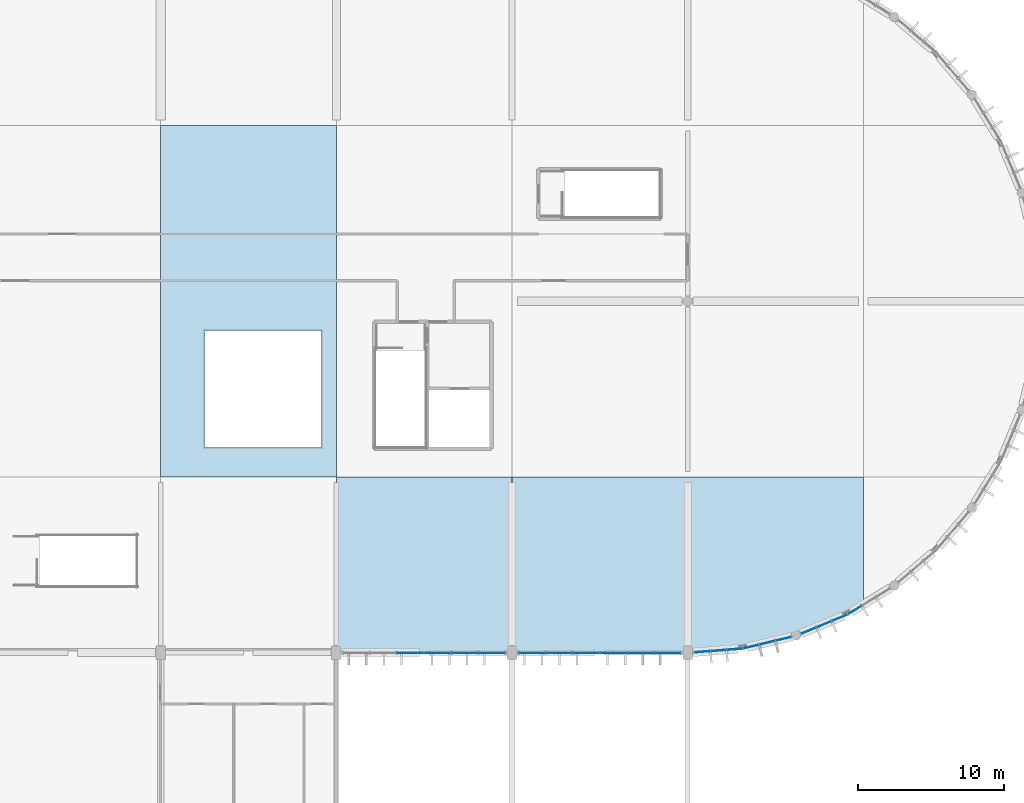
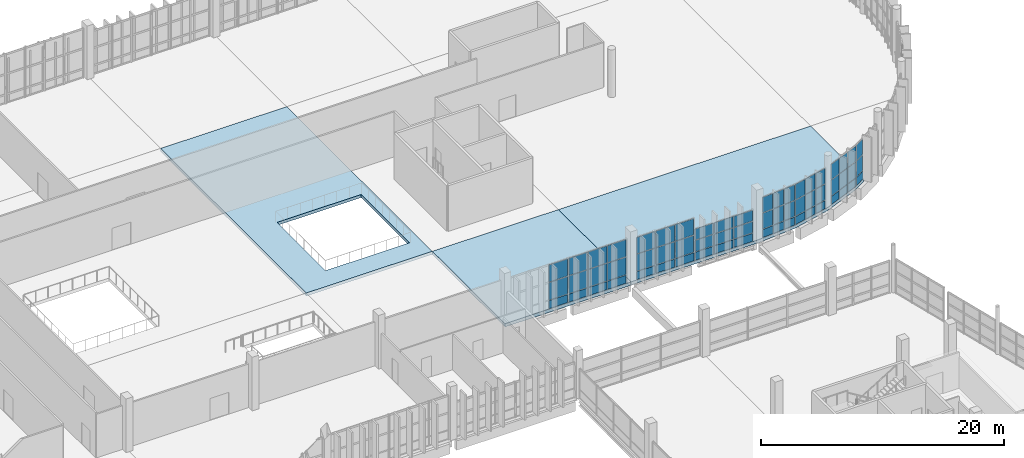
# One storey, part 68 of 112: 60 plates, 3 slabs, 8 elements without a shape of their own.
"""IFC4 building model written with IfcOpenShell, lengths in metres."""

from ifc_helpers import new_model, si_unit, direction, frame, origin, origin_2d, place, context, subcontext, project, spatial, polyline, rectangle, outline, extrude, material, layer, layer_set, type_object, element, aggregate, save


model = new_model("IFC4")

# Units and contexts
model_context = context("Model", 3, precision=1e-05, world=origin(), true_north=direction((0.0, 1.0)))
body_context = subcontext(model_context, "Body", "Model", "MODEL_VIEW")
ifc_project = project(units=[si_unit("LENGTHUNIT", "METRE"), si_unit("AREAUNIT", "SQUARE_METRE"), si_unit("VOLUMEUNIT", "CUBIC_METRE"), si_unit("PLANEANGLEUNIT", "RADIAN"), si_unit("MASSUNIT", "GRAM", prefix="KILO")], contexts=[model_context])

# Site, building, storey
site_placement = place(None, origin())
site = spatial("IfcSite", under=ifc_project, at=site_placement, CompositionType="ELEMENT")
building_placement = place(site_placement, origin())
building = spatial("IfcBuilding", under=site, at=building_placement, Name="Kamomehara Wholesale Market", CompositionType="ELEMENT")
storey_placement = place(building_placement, frame((0.0, 0.0, 6.60009765625)))
storey = spatial("IfcBuildingStorey", under=building, at=storey_placement, Name="L01", CompositionType="ELEMENT", Elevation=6.60009765625)

# Curtain wall, plates
ifc_material_1 = material(Name="Anodised aluminium 6063-T5", Category="aluminium")
curtain_wall_type_1 = type_object("IfcCurtainWallType", Name="CW-UN-02", PredefinedType="NOTDEFINED", material=ifc_material_1)
curtain_wall_1_placement = place(storey_placement, origin())
curtain_wall_1 = element("IfcCurtainWall", 1, at=curtain_wall_1_placement, inside=storey, type_object=curtain_wall_type_1, Name="Unitised curtain wall CW-091", PredefinedType="NOTDEFINED")
ifc_material_2 = material(Name="Solar-control Low-E double glazing", Category="glass")
ifc_layer_1 = layer(ifc_material_2, 0.028076171875)
ifc_layer_set_1 = layer_set([ifc_layer_1], Name="Solar-control Low-E double glazing")
plate_type_1 = type_object("IfcPlateType", Name="CW-PNL-GLZ", PredefinedType="CURTAIN_PANEL", material=ifc_layer_set_1)
plate_1_placement = place(storey_placement, frame((166.6220703125, 107.97998046875, 0.929443359375), z_axis=(0.0, 0.0, 1.0), x_axis=(-1.0, 0.0, 0.0)))
plate_1 = element("IfcPlate", 2, at=plate_1_placement, type_object=plate_type_1, Name="Curtain panel CW-091.0.1", PredefinedType="CURTAIN_PANEL", context=body_context, shape_type="SweptSolid", body=[
    extrude(rectangle(XDim=1.757080078125, YDim=0.028076171875, at=origin_2d()), origin(), (0.0, 0.0, 1.0), 1.7548828125),
])
plate_2_placement = place(storey_placement, frame((166.6220703125, 107.97998046875, 2.7451171875), z_axis=(0.0, 0.0, 1.0), x_axis=(-1.0, 0.0, 0.0)))
plate_2 = element("IfcPlate", 3, at=plate_2_placement, type_object=plate_type_1, Name="Curtain panel CW-091.0.2", PredefinedType="CURTAIN_PANEL", context=body_context, shape_type="SweptSolid", body=[
    extrude(rectangle(XDim=1.757080078125, YDim=0.028076171875, at=origin_2d()), origin(), (0.0, 0.0, 1.0), 1.715087890625),
])
plate_3_placement = place(storey_placement, frame((164.784912109375, 107.97998046875, 0.929443359375), z_axis=(0.0, 0.0, 1.0), x_axis=(-1.0, 0.0, 0.0)))
plate_3 = element("IfcPlate", 4, at=plate_3_placement, type_object=plate_type_1, Name="Curtain panel CW-091.1.1", PredefinedType="CURTAIN_PANEL", context=body_context, shape_type="SweptSolid", body=[
    extrude(rectangle(XDim=1.757080078125, YDim=0.028076171875, at=origin_2d()), origin(), (0.0, 0.0, 1.0), 1.7548828125),
])
plate_4_placement = place(storey_placement, frame((164.784912109375, 107.97998046875, 2.7451171875), z_axis=(0.0, 0.0, 1.0), x_axis=(-1.0, 0.0, 0.0)))
plate_4 = element("IfcPlate", 5, at=plate_4_placement, type_object=plate_type_1, Name="Curtain panel CW-091.1.2", PredefinedType="CURTAIN_PANEL", context=body_context, shape_type="SweptSolid", body=[
    extrude(rectangle(XDim=1.757080078125, YDim=0.028076171875, at=origin_2d()), origin(), (0.0, 0.0, 1.0), 1.715087890625),
])
plate_5_placement = place(storey_placement, frame((162.947998046875, 107.97998046875, 0.929443359375), z_axis=(0.0, 0.0, 1.0), x_axis=(-1.0, 0.0, 0.0)))
plate_5 = element("IfcPlate", 6, at=plate_5_placement, type_object=plate_type_1, Name="Curtain panel CW-091.2.1", PredefinedType="CURTAIN_PANEL", context=body_context, shape_type="SweptSolid", body=[
    extrude(rectangle(XDim=1.757080078125, YDim=0.028076171875, at=origin_2d()), origin(), (0.0, 0.0, 1.0), 1.7548828125),
])
plate_6_placement = place(storey_placement, frame((162.947998046875, 107.97998046875, 2.7451171875), z_axis=(0.0, 0.0, 1.0), x_axis=(-1.0, 0.0, 0.0)))
plate_6 = element("IfcPlate", 7, at=plate_6_placement, type_object=plate_type_1, Name="Curtain panel CW-091.2.2", PredefinedType="CURTAIN_PANEL", context=body_context, shape_type="SweptSolid", body=[
    extrude(rectangle(XDim=1.757080078125, YDim=0.028076171875, at=origin_2d()), origin(), (0.0, 0.0, 1.0), 1.715087890625),
])

curtain_wall_2_placement = place(storey_placement, origin())
curtain_wall_2 = element("IfcCurtainWall", 8, at=curtain_wall_2_placement, inside=storey, type_object=curtain_wall_type_1, Name="Unitised curtain wall CW-092", PredefinedType="NOTDEFINED")
plate_7_placement = place(storey_placement, frame((161.052001953125, 107.97998046875, 0.929443359375), z_axis=(0.0, 0.0, 1.0), x_axis=(-1.0, 0.0, 0.0)))
plate_7 = element("IfcPlate", 9, at=plate_7_placement, type_object=plate_type_1, Name="Curtain panel CW-092.0.1", PredefinedType="CURTAIN_PANEL", context=body_context, shape_type="SweptSolid", body=[
    extrude(rectangle(XDim=1.757080078125, YDim=0.028076171875, at=origin_2d()), origin(), (0.0, 0.0, 1.0), 1.7548828125),
])
plate_8_placement = place(storey_placement, frame((161.052001953125, 107.97998046875, 2.7451171875), z_axis=(0.0, 0.0, 1.0), x_axis=(-1.0, 0.0, 0.0)))
plate_8 = element("IfcPlate", 10, at=plate_8_placement, type_object=plate_type_1, Name="Curtain panel CW-092.0.2", PredefinedType="CURTAIN_PANEL", context=body_context, shape_type="SweptSolid", body=[
    extrude(rectangle(XDim=1.757080078125, YDim=0.028076171875, at=origin_2d()), origin(), (0.0, 0.0, 1.0), 1.715087890625),
])

curtain_wall_3_placement = place(storey_placement, origin())
curtain_wall_3 = element("IfcCurtainWall", 11, at=curtain_wall_3_placement, inside=storey, type_object=curtain_wall_type_1, Name="Unitised curtain wall CW-095", PredefinedType="NOTDEFINED")
plate_9_placement = place(storey_placement, frame((178.6220703125, 107.97998046875, 0.929931640625), z_axis=(0.0, 0.0, 1.0), x_axis=(-1.0, 0.0, 0.0)))
plate_9 = element("IfcPlate", 12, at=plate_9_placement, type_object=plate_type_1, Name="Curtain panel CW-095.0.1", PredefinedType="CURTAIN_PANEL", context=body_context, shape_type="SweptSolid", body=[
    extrude(rectangle(XDim=1.757080078125, YDim=0.028076171875, at=origin_2d()), origin(), (0.0, 0.0, 1.0), 1.1240234375),
])
plate_10_placement = place(storey_placement, frame((178.6220703125, 107.97998046875, 2.114013671875), z_axis=(0.0, 0.0, 1.0), x_axis=(-1.0, 0.0, 0.0)))
plate_10 = element("IfcPlate", 13, at=plate_10_placement, type_object=plate_type_1, Name="Curtain panel CW-095.0.2", PredefinedType="CURTAIN_PANEL", context=body_context, shape_type="SweptSolid", body=[
    extrude(rectangle(XDim=1.757080078125, YDim=0.028076171875, at=origin_2d()), origin(), (0.0, 0.0, 1.0), 1.083984375),
])
plate_11_placement = place(storey_placement, frame((176.784912109375, 107.97998046875, 0.929931640625), z_axis=(0.0, 0.0, 1.0), x_axis=(-1.0, 0.0, 0.0)))
plate_11 = element("IfcPlate", 14, at=plate_11_placement, type_object=plate_type_1, Name="Curtain panel CW-095.1.1", PredefinedType="CURTAIN_PANEL", context=body_context, shape_type="SweptSolid", body=[
    extrude(rectangle(XDim=1.757080078125, YDim=0.028076171875, at=origin_2d()), origin(), (0.0, 0.0, 1.0), 1.1240234375),
])
plate_12_placement = place(storey_placement, frame((176.784912109375, 107.97998046875, 2.114013671875), z_axis=(0.0, 0.0, 1.0), x_axis=(-1.0, 0.0, 0.0)))
plate_12 = element("IfcPlate", 15, at=plate_12_placement, type_object=plate_type_1, Name="Curtain panel CW-095.1.2", PredefinedType="CURTAIN_PANEL", context=body_context, shape_type="SweptSolid", body=[
    extrude(rectangle(XDim=1.757080078125, YDim=0.028076171875, at=origin_2d()), origin(), (0.0, 0.0, 1.0), 1.083984375),
])
plate_13_placement = place(storey_placement, frame((174.947998046875, 107.97998046875, 0.929931640625), z_axis=(0.0, 0.0, 1.0), x_axis=(-1.0, 0.0, 0.0)))
plate_13 = element("IfcPlate", 16, at=plate_13_placement, type_object=plate_type_1, Name="Curtain panel CW-095.2.1", PredefinedType="CURTAIN_PANEL", context=body_context, shape_type="SweptSolid", body=[
    extrude(rectangle(XDim=1.757080078125, YDim=0.028076171875, at=origin_2d()), origin(), (0.0, 0.0, 1.0), 1.1240234375),
])
plate_14_placement = place(storey_placement, frame((174.947998046875, 107.97998046875, 2.114013671875), z_axis=(0.0, 0.0, 1.0), x_axis=(-1.0, 0.0, 0.0)))
plate_14 = element("IfcPlate", 17, at=plate_14_placement, type_object=plate_type_1, Name="Curtain panel CW-095.2.2", PredefinedType="CURTAIN_PANEL", context=body_context, shape_type="SweptSolid", body=[
    extrude(rectangle(XDim=1.757080078125, YDim=0.028076171875, at=origin_2d()), origin(), (0.0, 0.0, 1.0), 1.083984375),
])

curtain_wall_4_placement = place(storey_placement, origin())
curtain_wall_4 = element("IfcCurtainWall", 18, at=curtain_wall_4_placement, inside=storey, type_object=curtain_wall_type_1, Name="Unitised curtain wall CW-096", PredefinedType="NOTDEFINED")
plate_15_placement = place(storey_placement, frame((173.052001953125, 107.97998046875, 0.93017578125), z_axis=(0.0, 0.0, 1.0), x_axis=(-1.0, 0.0, 0.0)))
plate_15 = element("IfcPlate", 19, at=plate_15_placement, type_object=plate_type_1, Name="Curtain panel CW-096.0.1", PredefinedType="CURTAIN_PANEL", context=body_context, shape_type="SweptSolid", body=[
    extrude(rectangle(XDim=1.757080078125, YDim=0.028076171875, at=origin_2d()), origin(), (0.0, 0.0, 1.0), 1.679931640625),
])
plate_16_placement = place(storey_placement, frame((173.052001953125, 107.97998046875, 2.669921875), z_axis=(0.0, 0.0, 1.0), x_axis=(-1.0, 0.0, 0.0)))
plate_16 = element("IfcPlate", 20, at=plate_16_placement, type_object=plate_type_1, Name="Curtain panel CW-096.0.2", PredefinedType="CURTAIN_PANEL", context=body_context, shape_type="SweptSolid", body=[
    extrude(rectangle(XDim=1.757080078125, YDim=0.028076171875, at=origin_2d()), origin(), (0.0, 0.0, 1.0), 1.639892578125),
])
plate_17_placement = place(storey_placement, frame((171.215087890625, 107.97998046875, 0.93017578125), z_axis=(0.0, 0.0, 1.0), x_axis=(-1.0, 0.0, 0.0)))
plate_17 = element("IfcPlate", 21, at=plate_17_placement, type_object=plate_type_1, Name="Curtain panel CW-096.1.1", PredefinedType="CURTAIN_PANEL", context=body_context, shape_type="SweptSolid", body=[
    extrude(rectangle(XDim=1.757080078125, YDim=0.028076171875, at=origin_2d()), origin(), (0.0, 0.0, 1.0), 1.679931640625),
])
plate_18_placement = place(storey_placement, frame((171.215087890625, 107.97998046875, 2.669921875), z_axis=(0.0, 0.0, 1.0), x_axis=(-1.0, 0.0, 0.0)))
plate_18 = element("IfcPlate", 22, at=plate_18_placement, type_object=plate_type_1, Name="Curtain panel CW-096.1.2", PredefinedType="CURTAIN_PANEL", context=body_context, shape_type="SweptSolid", body=[
    extrude(rectangle(XDim=1.757080078125, YDim=0.028076171875, at=origin_2d()), origin(), (0.0, 0.0, 1.0), 1.639892578125),
])
plate_19_placement = place(storey_placement, frame((169.3779296875, 107.97998046875, 0.93017578125), z_axis=(0.0, 0.0, 1.0), x_axis=(-1.0, 0.0, 0.0)))
plate_19 = element("IfcPlate", 23, at=plate_19_placement, type_object=plate_type_1, Name="Curtain panel CW-096.2.1", PredefinedType="CURTAIN_PANEL", context=body_context, shape_type="SweptSolid", body=[
    extrude(rectangle(XDim=1.757080078125, YDim=0.028076171875, at=origin_2d()), origin(), (0.0, 0.0, 1.0), 1.679931640625),
])
plate_20_placement = place(storey_placement, frame((169.3779296875, 107.97998046875, 2.669921875), z_axis=(0.0, 0.0, 1.0), x_axis=(-1.0, 0.0, 0.0)))
plate_20 = element("IfcPlate", 24, at=plate_20_placement, type_object=plate_type_1, Name="Curtain panel CW-096.2.2", PredefinedType="CURTAIN_PANEL", context=body_context, shape_type="SweptSolid", body=[
    extrude(rectangle(XDim=1.757080078125, YDim=0.028076171875, at=origin_2d()), origin(), (0.0, 0.0, 1.0), 1.639892578125),
])

ifc_material_3 = material(Name="Anodised aluminium 6063-T5", Category="aluminium")
curtain_wall_type_2 = type_object("IfcCurtainWallType", Name="CW-UN-05", PredefinedType="NOTDEFINED", material=ifc_material_3)
curtain_wall_5_placement = place(storey_placement, origin())
curtain_wall_5 = element("IfcCurtainWall", 25, at=curtain_wall_5_placement, inside=storey, type_object=curtain_wall_type_2, Name="Unitised curtain wall CW-113", PredefinedType="NOTDEFINED")
plate_21_placement = place(storey_placement, frame((191.40087890625, 110.902099609375, 0.929931640625), z_axis=(0.0, 0.0, 1.0), x_axis=(-0.852503345332, -0.522721767481, 0.0)))
plate_21 = element("IfcPlate", 26, at=plate_21_placement, type_object=plate_type_1, Name="Curtain panel CW-113.2.1", PredefinedType="CURTAIN_PANEL", context=body_context, shape_type="SweptSolid", body=[
    extrude(rectangle(XDim=1.06005859375, YDim=0.028076171875, at=origin_2d()), origin(), (0.0, 0.0, 1.0), 1.580078125),
])
plate_22_placement = place(storey_placement, frame((191.40087890625, 110.902099609375, 2.56982421875), z_axis=(0.0, 0.0, 1.0), x_axis=(-0.852503345332, -0.522721767481, 0.0)))
plate_22 = element("IfcPlate", 27, at=plate_22_placement, type_object=plate_type_1, Name="Curtain panel CW-113.2.2", PredefinedType="CURTAIN_PANEL", context=body_context, shape_type="SweptSolid", body=[
    extrude(rectangle(XDim=1.06005859375, YDim=0.028076171875, at=origin_2d()), origin(), (0.0, 0.0, 1.0), 1.5400390625),
])

curtain_wall_6_placement = place(storey_placement, origin())
curtain_wall_6 = element("IfcCurtainWall", 28, at=curtain_wall_6_placement, inside=storey, type_object=curtain_wall_type_2, Name="Unitised curtain wall CW-114", PredefinedType="NOTDEFINED")
plate_23_placement = place(storey_placement, frame((190.367919921875, 110.375, 0.929931640625), z_axis=(0.0, 0.0, 1.0), x_axis=(-0.923912924423, -0.382602807209, 0.0)))
plate_23 = element("IfcPlate", 29, at=plate_23_placement, type_object=plate_type_1, Name="Curtain panel CW-114.0.1", PredefinedType="CURTAIN_PANEL", context=body_context, shape_type="SweptSolid", body=[
    extrude(rectangle(XDim=1.06005859375, YDim=0.028076171875, at=origin_2d()), origin(), (0.0, 0.0, 1.0), 1.580078125),
])
plate_24_placement = place(storey_placement, frame((190.367919921875, 110.375, 2.56982421875), z_axis=(0.0, 0.0, 1.0), x_axis=(-0.923912924423, -0.382602807209, 0.0)))
plate_24 = element("IfcPlate", 30, at=plate_24_placement, type_object=plate_type_1, Name="Curtain panel CW-114.0.2", PredefinedType="CURTAIN_PANEL", context=body_context, shape_type="SweptSolid", body=[
    extrude(rectangle(XDim=1.06005859375, YDim=0.028076171875, at=origin_2d()), origin(), (0.0, 0.0, 1.0), 1.5400390625),
])
plate_25_placement = place(storey_placement, frame((189.31396484375, 109.93896484375, 0.929931640625), z_axis=(0.0, 0.0, 1.0), x_axis=(-0.923912924423, -0.382602807209, 0.0)))
plate_25 = element("IfcPlate", 31, at=plate_25_placement, type_object=plate_type_1, Name="Curtain panel CW-114.1.1", PredefinedType="CURTAIN_PANEL", context=body_context, shape_type="SweptSolid", body=[
    extrude(rectangle(XDim=1.06005859375, YDim=0.028076171875, at=origin_2d()), origin(), (0.0, 0.0, 1.0), 1.580078125),
])
plate_26_placement = place(storey_placement, frame((189.31396484375, 109.93896484375, 2.56982421875), z_axis=(0.0, 0.0, 1.0), x_axis=(-0.923912924423, -0.382602807209, 0.0)))
plate_26 = element("IfcPlate", 32, at=plate_26_placement, type_object=plate_type_1, Name="Curtain panel CW-114.1.2", PredefinedType="CURTAIN_PANEL", context=body_context, shape_type="SweptSolid", body=[
    extrude(rectangle(XDim=1.06005859375, YDim=0.028076171875, at=origin_2d()), origin(), (0.0, 0.0, 1.0), 1.5400390625),
])
plate_27_placement = place(storey_placement, frame((188.260009765625, 109.5029296875, 0.929931640625), z_axis=(0.0, 0.0, 1.0), x_axis=(-0.923912924423, -0.382602807209, 0.0)))
plate_27 = element("IfcPlate", 33, at=plate_27_placement, type_object=plate_type_1, Name="Curtain panel CW-114.2.1", PredefinedType="CURTAIN_PANEL", context=body_context, shape_type="SweptSolid", body=[
    extrude(rectangle(XDim=1.06005859375, YDim=0.028076171875, at=origin_2d()), origin(), (0.0, 0.0, 1.0), 1.580078125),
])
plate_28_placement = place(storey_placement, frame((188.260009765625, 109.5029296875, 2.56982421875), z_axis=(0.0, 0.0, 1.0), x_axis=(-0.923912924423, -0.382602807209, 0.0)))
plate_28 = element("IfcPlate", 34, at=plate_28_placement, type_object=plate_type_1, Name="Curtain panel CW-114.2.2", PredefinedType="CURTAIN_PANEL", context=body_context, shape_type="SweptSolid", body=[
    extrude(rectangle(XDim=1.06005859375, YDim=0.028076171875, at=origin_2d()), origin(), (0.0, 0.0, 1.0), 1.5400390625),
])

curtain_wall_7_placement = place(storey_placement, origin())
curtain_wall_7 = element("IfcCurtainWall", 35, at=curtain_wall_7_placement, inside=storey, type_object=curtain_wall_type_2, Name="Unitised curtain wall CW-115", PredefinedType="NOTDEFINED")
plate_29_placement = place(storey_placement, frame((186.5400390625, 108.944091796875, 0.929931640625), z_axis=(0.0, 0.0, 1.0), x_axis=(-0.972272049729, -0.233852648724, 0.0)))
plate_29 = element("IfcPlate", 36, at=plate_29_placement, type_object=plate_type_1, Name="Curtain panel CW-115.0.1", PredefinedType="CURTAIN_PANEL", context=body_context, shape_type="SweptSolid", body=[
    extrude(rectangle(XDim=1.06005859375, YDim=0.028076171875, at=origin_2d()), origin(), (0.0, 0.0, 1.0), 1.580078125),
])
plate_30_placement = place(storey_placement, frame((186.5400390625, 108.944091796875, 2.56982421875), z_axis=(0.0, 0.0, 1.0), x_axis=(-0.972272049729, -0.233852648724, 0.0)))
plate_30 = element("IfcPlate", 37, at=plate_30_placement, type_object=plate_type_1, Name="Curtain panel CW-115.0.2", PredefinedType="CURTAIN_PANEL", context=body_context, shape_type="SweptSolid", body=[
    extrude(rectangle(XDim=1.06005859375, YDim=0.028076171875, at=origin_2d()), origin(), (0.0, 0.0, 1.0), 1.5400390625),
])
plate_31_placement = place(storey_placement, frame((185.431884765625, 108.677978515625, 0.929931640625), z_axis=(0.0, 0.0, 1.0), x_axis=(-0.972272049729, -0.233852648724, 0.0)))
plate_31 = element("IfcPlate", 38, at=plate_31_placement, type_object=plate_type_1, Name="Curtain panel CW-115.1.1", PredefinedType="CURTAIN_PANEL", context=body_context, shape_type="SweptSolid", body=[
    extrude(rectangle(XDim=1.06005859375, YDim=0.028076171875, at=origin_2d()), origin(), (0.0, 0.0, 1.0), 1.580078125),
])
plate_32_placement = place(storey_placement, frame((185.431884765625, 108.677978515625, 2.56982421875), z_axis=(0.0, 0.0, 1.0), x_axis=(-0.972272049729, -0.233852648724, 0.0)))
plate_32 = element("IfcPlate", 39, at=plate_32_placement, type_object=plate_type_1, Name="Curtain panel CW-115.1.2", PredefinedType="CURTAIN_PANEL", context=body_context, shape_type="SweptSolid", body=[
    extrude(rectangle(XDim=1.06005859375, YDim=0.028076171875, at=origin_2d()), origin(), (0.0, 0.0, 1.0), 1.5400390625),
])
plate_33_placement = place(storey_placement, frame((184.322998046875, 108.410888671875, 0.929931640625), z_axis=(0.0, 0.0, 1.0), x_axis=(-0.972272049729, -0.233852648724, 0.0)))
plate_33 = element("IfcPlate", 40, at=plate_33_placement, type_object=plate_type_1, Name="Curtain panel CW-115.2.1", PredefinedType="CURTAIN_PANEL", context=body_context, shape_type="SweptSolid", body=[
    extrude(rectangle(XDim=1.06005859375, YDim=0.028076171875, at=origin_2d()), origin(), (0.0, 0.0, 1.0), 1.580078125),
])
plate_34_placement = place(storey_placement, frame((184.322998046875, 108.410888671875, 2.56982421875), z_axis=(0.0, 0.0, 1.0), x_axis=(-0.972272049729, -0.233852648724, 0.0)))
plate_34 = element("IfcPlate", 41, at=plate_34_placement, type_object=plate_type_1, Name="Curtain panel CW-115.2.2", PredefinedType="CURTAIN_PANEL", context=body_context, shape_type="SweptSolid", body=[
    extrude(rectangle(XDim=1.06005859375, YDim=0.028076171875, at=origin_2d()), origin(), (0.0, 0.0, 1.0), 1.5400390625),
])

curtain_wall_8_placement = place(storey_placement, origin())
curtain_wall_8 = element("IfcCurtainWall", 42, at=curtain_wall_8_placement, inside=storey, type_object=curtain_wall_type_2, Name="Unitised curtain wall CW-116", PredefinedType="NOTDEFINED")
plate_35_placement = place(storey_placement, frame((183.197998046875, 108.23095703125, 0.929931640625), z_axis=(0.0, 0.0, 1.0), x_axis=(-0.99692964576, -0.078302499352, 0.0)))
plate_35 = element("IfcPlate", 43, at=plate_35_placement, type_object=plate_type_1, Name="Curtain panel CW-116.0.1", PredefinedType="CURTAIN_PANEL", context=body_context, shape_type="SweptSolid", body=[
    extrude(rectangle(XDim=1.01806640625, YDim=0.028076171875, at=origin_2d()), origin(), (0.0, 0.0, 1.0), 1.580078125),
])
plate_36_placement = place(storey_placement, frame((183.197998046875, 108.23095703125, 2.56982421875), z_axis=(0.0, 0.0, 1.0), x_axis=(-0.99692964576, -0.078302499352, 0.0)))
plate_36 = element("IfcPlate", 44, at=plate_36_placement, type_object=plate_type_1, Name="Curtain panel CW-116.0.2", PredefinedType="CURTAIN_PANEL", context=body_context, shape_type="SweptSolid", body=[
    extrude(rectangle(XDim=1.01806640625, YDim=0.028076171875, at=origin_2d()), origin(), (0.0, 0.0, 1.0), 1.5400390625),
])
plate_37_placement = place(storey_placement, frame((182.10302734375, 108.14501953125, 0.929931640625), z_axis=(0.0, 0.0, 1.0), x_axis=(-0.99692964576, -0.078302499352, 0.0)))
plate_37 = element("IfcPlate", 45, at=plate_37_placement, type_object=plate_type_1, Name="Curtain panel CW-116.1.1", PredefinedType="CURTAIN_PANEL", context=body_context, shape_type="SweptSolid", body=[
    extrude(rectangle(XDim=1.01806640625, YDim=0.028076171875, at=origin_2d()), origin(), (0.0, 0.0, 1.0), 1.580078125),
])
plate_38_placement = place(storey_placement, frame((182.10302734375, 108.14501953125, 2.56982421875), z_axis=(0.0, 0.0, 1.0), x_axis=(-0.99692964576, -0.078302499352, 0.0)))
plate_38 = element("IfcPlate", 46, at=plate_38_placement, type_object=plate_type_1, Name="Curtain panel CW-116.1.2", PredefinedType="CURTAIN_PANEL", context=body_context, shape_type="SweptSolid", body=[
    extrude(rectangle(XDim=1.01806640625, YDim=0.028076171875, at=origin_2d()), origin(), (0.0, 0.0, 1.0), 1.5400390625),
])
plate_39_placement = place(storey_placement, frame((181.008056640625, 108.05908203125, 0.929931640625), z_axis=(0.0, 0.0, 1.0), x_axis=(-0.99692964576, -0.078302499352, 0.0)))
plate_39 = element("IfcPlate", 47, at=plate_39_placement, type_object=plate_type_1, Name="Curtain panel CW-116.2.1", PredefinedType="CURTAIN_PANEL", context=body_context, shape_type="SweptSolid", body=[
    extrude(rectangle(XDim=1.01806640625, YDim=0.028076171875, at=origin_2d()), origin(), (0.0, 0.0, 1.0), 1.580078125),
])
plate_40_placement = place(storey_placement, frame((181.008056640625, 108.05908203125, 2.56982421875), z_axis=(0.0, 0.0, 1.0), x_axis=(-0.99692964576, -0.078302499352, 0.0)))
plate_40 = element("IfcPlate", 48, at=plate_40_placement, type_object=plate_type_1, Name="Curtain panel CW-116.2.2", PredefinedType="CURTAIN_PANEL", context=body_context, shape_type="SweptSolid", body=[
    extrude(rectangle(XDim=1.01806640625, YDim=0.028076171875, at=origin_2d()), origin(), (0.0, 0.0, 1.0), 1.5400390625),
])

# Plate
ifc_material_4 = material(Name="Insulated aluminium spandrel panel", Category="aluminium")
ifc_layer_2 = layer(ifc_material_4, 0.0400390625)
ifc_layer_set_2 = layer_set([ifc_layer_2], Name="Insulated aluminium spandrel panel")
plate_type_2 = type_object("IfcPlateType", Name="CW-PNL-SPN", PredefinedType="CURTAIN_PANEL", material=ifc_layer_set_2)
plate_41_placement = place(storey_placement, frame((166.6220703125, 107.97998046875, 0.06982421875), z_axis=(0.0, 0.0, 1.0), x_axis=(-1.0, 0.0, 0.0)))
plate_41 = element("IfcPlate", 49, at=plate_41_placement, type_object=plate_type_2, Name="Curtain panel CW-091.0.0", PredefinedType="CURTAIN_PANEL", context=body_context, shape_type="SweptSolid", body=[
    extrude(rectangle(XDim=1.757080078125, YDim=0.0400390625, at=origin_2d()), origin(), (0.0, 0.0, 1.0), 0.800048828125),
])

plate_42_placement = place(storey_placement, frame((164.784912109375, 107.97998046875, 0.06982421875), z_axis=(0.0, 0.0, 1.0), x_axis=(-1.0, 0.0, 0.0)))
plate_42 = element("IfcPlate", 50, at=plate_42_placement, type_object=plate_type_2, Name="Curtain panel CW-091.1.0", PredefinedType="CURTAIN_PANEL", context=body_context, shape_type="SweptSolid", body=[
    extrude(rectangle(XDim=1.757080078125, YDim=0.0400390625, at=origin_2d()), origin(), (0.0, 0.0, 1.0), 0.800048828125),
])

plate_43_placement = place(storey_placement, frame((162.947998046875, 107.97998046875, 0.06982421875), z_axis=(0.0, 0.0, 1.0), x_axis=(-1.0, 0.0, 0.0)))
plate_43 = element("IfcPlate", 51, at=plate_43_placement, type_object=plate_type_2, Name="Curtain panel CW-091.2.0", PredefinedType="CURTAIN_PANEL", context=body_context, shape_type="SweptSolid", body=[
    extrude(rectangle(XDim=1.757080078125, YDim=0.0400390625, at=origin_2d()), origin(), (0.0, 0.0, 1.0), 0.800048828125),
])

aggregate(curtain_wall_1, [plate_41, plate_1, plate_2, plate_42, plate_3, plate_4, plate_43, plate_5, plate_6])

plate_44_placement = place(storey_placement, frame((161.052001953125, 107.97998046875, 0.06982421875), z_axis=(0.0, 0.0, 1.0), x_axis=(-1.0, 0.0, 0.0)))
plate_44 = element("IfcPlate", 52, at=plate_44_placement, type_object=plate_type_2, Name="Curtain panel CW-092.0.0", PredefinedType="CURTAIN_PANEL", context=body_context, shape_type="SweptSolid", body=[
    extrude(rectangle(XDim=1.757080078125, YDim=0.0400390625, at=origin_2d()), origin(), (0.0, 0.0, 1.0), 0.800048828125),
])

aggregate(curtain_wall_2, [plate_44, plate_7, plate_8])

plate_45_placement = place(storey_placement, frame((178.6220703125, 107.97998046875, 0.06982421875), z_axis=(0.0, 0.0, 1.0), x_axis=(-1.0, 0.0, 0.0)))
plate_45 = element("IfcPlate", 53, at=plate_45_placement, type_object=plate_type_2, Name="Curtain panel CW-095.0.0", PredefinedType="CURTAIN_PANEL", context=body_context, shape_type="SweptSolid", body=[
    extrude(rectangle(XDim=1.757080078125, YDim=0.0400390625, at=origin_2d()), origin(), (0.0, 0.0, 1.0), 0.800048828125),
])

plate_46_placement = place(storey_placement, frame((176.784912109375, 107.97998046875, 0.06982421875), z_axis=(0.0, 0.0, 1.0), x_axis=(-1.0, 0.0, 0.0)))
plate_46 = element("IfcPlate", 54, at=plate_46_placement, type_object=plate_type_2, Name="Curtain panel CW-095.1.0", PredefinedType="CURTAIN_PANEL", context=body_context, shape_type="SweptSolid", body=[
    extrude(rectangle(XDim=1.757080078125, YDim=0.0400390625, at=origin_2d()), origin(), (0.0, 0.0, 1.0), 0.800048828125),
])

plate_47_placement = place(storey_placement, frame((174.947998046875, 107.97998046875, 0.06982421875), z_axis=(0.0, 0.0, 1.0), x_axis=(-1.0, 0.0, 0.0)))
plate_47 = element("IfcPlate", 55, at=plate_47_placement, type_object=plate_type_2, Name="Curtain panel CW-095.2.0", PredefinedType="CURTAIN_PANEL", context=body_context, shape_type="SweptSolid", body=[
    extrude(rectangle(XDim=1.757080078125, YDim=0.0400390625, at=origin_2d()), origin(), (0.0, 0.0, 1.0), 0.800048828125),
])

aggregate(curtain_wall_3, [plate_45, plate_9, plate_10, plate_46, plate_11, plate_12, plate_47, plate_13, plate_14])

plate_48_placement = place(storey_placement, frame((173.052001953125, 107.97998046875, 0.06982421875), z_axis=(0.0, 0.0, 1.0), x_axis=(-1.0, 0.0, 0.0)))
plate_48 = element("IfcPlate", 56, at=plate_48_placement, type_object=plate_type_2, Name="Curtain panel CW-096.0.0", PredefinedType="CURTAIN_PANEL", context=body_context, shape_type="SweptSolid", body=[
    extrude(rectangle(XDim=1.757080078125, YDim=0.0400390625, at=origin_2d()), origin(), (0.0, 0.0, 1.0), 0.800048828125),
])

plate_49_placement = place(storey_placement, frame((171.215087890625, 107.97998046875, 0.06982421875), z_axis=(0.0, 0.0, 1.0), x_axis=(-1.0, 0.0, 0.0)))
plate_49 = element("IfcPlate", 57, at=plate_49_placement, type_object=plate_type_2, Name="Curtain panel CW-096.1.0", PredefinedType="CURTAIN_PANEL", context=body_context, shape_type="SweptSolid", body=[
    extrude(rectangle(XDim=1.757080078125, YDim=0.0400390625, at=origin_2d()), origin(), (0.0, 0.0, 1.0), 0.800048828125),
])

plate_50_placement = place(storey_placement, frame((169.3779296875, 107.97998046875, 0.06982421875), z_axis=(0.0, 0.0, 1.0), x_axis=(-1.0, 0.0, 0.0)))
plate_50 = element("IfcPlate", 58, at=plate_50_placement, type_object=plate_type_2, Name="Curtain panel CW-096.2.0", PredefinedType="CURTAIN_PANEL", context=body_context, shape_type="SweptSolid", body=[
    extrude(rectangle(XDim=1.757080078125, YDim=0.0400390625, at=origin_2d()), origin(), (0.0, 0.0, 1.0), 0.800048828125),
])

aggregate(curtain_wall_4, [plate_48, plate_15, plate_16, plate_49, plate_17, plate_18, plate_50, plate_19, plate_20])

plate_51_placement = place(storey_placement, frame((191.40087890625, 110.902099609375, 0.06982421875), z_axis=(0.0, 0.0, 1.0), x_axis=(-0.852503345332, -0.522721767481, 0.0)))
plate_51 = element("IfcPlate", 59, at=plate_51_placement, type_object=plate_type_2, Name="Curtain panel CW-113.2.0", PredefinedType="CURTAIN_PANEL", context=body_context, shape_type="SweptSolid", body=[
    extrude(rectangle(XDim=1.06005859375, YDim=0.0400390625, at=origin_2d()), origin(), (0.0, 0.0, 1.0), 0.800048828125),
])

aggregate(curtain_wall_5, [plate_51, plate_21, plate_22])

plate_52_placement = place(storey_placement, frame((190.367919921875, 110.375, 0.06982421875), z_axis=(0.0, 0.0, 1.0), x_axis=(-0.923912924423, -0.382602807209, 0.0)))
plate_52 = element("IfcPlate", 60, at=plate_52_placement, type_object=plate_type_2, Name="Curtain panel CW-114.0.0", PredefinedType="CURTAIN_PANEL", context=body_context, shape_type="SweptSolid", body=[
    extrude(rectangle(XDim=1.06005859375, YDim=0.0400390625, at=origin_2d()), origin(), (0.0, 0.0, 1.0), 0.800048828125),
])

plate_53_placement = place(storey_placement, frame((189.31396484375, 109.93896484375, 0.06982421875), z_axis=(0.0, 0.0, 1.0), x_axis=(-0.923912924423, -0.382602807209, 0.0)))
plate_53 = element("IfcPlate", 61, at=plate_53_placement, type_object=plate_type_2, Name="Curtain panel CW-114.1.0", PredefinedType="CURTAIN_PANEL", context=body_context, shape_type="SweptSolid", body=[
    extrude(rectangle(XDim=1.06005859375, YDim=0.0400390625, at=origin_2d()), origin(), (0.0, 0.0, 1.0), 0.800048828125),
])

plate_54_placement = place(storey_placement, frame((188.260009765625, 109.5029296875, 0.06982421875), z_axis=(0.0, 0.0, 1.0), x_axis=(-0.923912924423, -0.382602807209, 0.0)))
plate_54 = element("IfcPlate", 62, at=plate_54_placement, type_object=plate_type_2, Name="Curtain panel CW-114.2.0", PredefinedType="CURTAIN_PANEL", context=body_context, shape_type="SweptSolid", body=[
    extrude(rectangle(XDim=1.06005859375, YDim=0.0400390625, at=origin_2d()), origin(), (0.0, 0.0, 1.0), 0.800048828125),
])

aggregate(curtain_wall_6, [plate_52, plate_23, plate_24, plate_53, plate_25, plate_26, plate_54, plate_27, plate_28])

plate_55_placement = place(storey_placement, frame((186.5400390625, 108.944091796875, 0.06982421875), z_axis=(0.0, 0.0, 1.0), x_axis=(-0.972272049729, -0.233852648724, 0.0)))
plate_55 = element("IfcPlate", 63, at=plate_55_placement, type_object=plate_type_2, Name="Curtain panel CW-115.0.0", PredefinedType="CURTAIN_PANEL", context=body_context, shape_type="SweptSolid", body=[
    extrude(rectangle(XDim=1.06005859375, YDim=0.0400390625, at=origin_2d()), origin(), (0.0, 0.0, 1.0), 0.800048828125),
])

plate_56_placement = place(storey_placement, frame((185.431884765625, 108.677978515625, 0.06982421875), z_axis=(0.0, 0.0, 1.0), x_axis=(-0.972272049729, -0.233852648724, 0.0)))
plate_56 = element("IfcPlate", 64, at=plate_56_placement, type_object=plate_type_2, Name="Curtain panel CW-115.1.0", PredefinedType="CURTAIN_PANEL", context=body_context, shape_type="SweptSolid", body=[
    extrude(rectangle(XDim=1.06005859375, YDim=0.0400390625, at=origin_2d()), origin(), (0.0, 0.0, 1.0), 0.800048828125),
])

plate_57_placement = place(storey_placement, frame((184.322998046875, 108.410888671875, 0.06982421875), z_axis=(0.0, 0.0, 1.0), x_axis=(-0.972272049729, -0.233852648724, 0.0)))
plate_57 = element("IfcPlate", 65, at=plate_57_placement, type_object=plate_type_2, Name="Curtain panel CW-115.2.0", PredefinedType="CURTAIN_PANEL", context=body_context, shape_type="SweptSolid", body=[
    extrude(rectangle(XDim=1.06005859375, YDim=0.0400390625, at=origin_2d()), origin(), (0.0, 0.0, 1.0), 0.800048828125),
])

aggregate(curtain_wall_7, [plate_55, plate_29, plate_30, plate_56, plate_31, plate_32, plate_57, plate_33, plate_34])

plate_58_placement = place(storey_placement, frame((183.197998046875, 108.23095703125, 0.06982421875), z_axis=(0.0, 0.0, 1.0), x_axis=(-0.99692964576, -0.078302499352, 0.0)))
plate_58 = element("IfcPlate", 66, at=plate_58_placement, type_object=plate_type_2, Name="Curtain panel CW-116.0.0", PredefinedType="CURTAIN_PANEL", context=body_context, shape_type="SweptSolid", body=[
    extrude(rectangle(XDim=1.01806640625, YDim=0.0400390625, at=origin_2d()), origin(), (0.0, 0.0, 1.0), 0.800048828125),
])

plate_59_placement = place(storey_placement, frame((182.10302734375, 108.14501953125, 0.06982421875), z_axis=(0.0, 0.0, 1.0), x_axis=(-0.99692964576, -0.078302499352, 0.0)))
plate_59 = element("IfcPlate", 67, at=plate_59_placement, type_object=plate_type_2, Name="Curtain panel CW-116.1.0", PredefinedType="CURTAIN_PANEL", context=body_context, shape_type="SweptSolid", body=[
    extrude(rectangle(XDim=1.01806640625, YDim=0.0400390625, at=origin_2d()), origin(), (0.0, 0.0, 1.0), 0.800048828125),
])

plate_60_placement = place(storey_placement, frame((181.008056640625, 108.05908203125, 0.06982421875), z_axis=(0.0, 0.0, 1.0), x_axis=(-0.99692964576, -0.078302499352, 0.0)))
plate_60 = element("IfcPlate", 68, at=plate_60_placement, type_object=plate_type_2, Name="Curtain panel CW-116.2.0", PredefinedType="CURTAIN_PANEL", context=body_context, shape_type="SweptSolid", body=[
    extrude(rectangle(XDim=1.01806640625, YDim=0.0400390625, at=origin_2d()), origin(), (0.0, 0.0, 1.0), 0.800048828125),
])

aggregate(curtain_wall_8, [plate_58, plate_35, plate_36, plate_59, plate_37, plate_38, plate_60, plate_39, plate_40])

# Slabs
ifc_material_5 = material(Name="Concrete Fc36 (C35/45)", Category="concrete")
ifc_layer_3 = layer(ifc_material_5, 0.31005859375)
ifc_layer_set_3 = layer_set([ifc_layer_3], Name="Concrete Fc36 (C35/45)")
slab_type_1 = type_object("IfcSlabType", Name="SLB-FLR-220", PredefinedType="FLOOR", material=ifc_layer_set_3)
slab_1_placement = place(storey_placement, frame((0.0, 0.0, -0.31005859375)))
element("IfcSlab", 69, at=slab_1_placement, inside=storey, type_object=slab_type_1, Name="Floor slab V1 L01 80", PredefinedType="FLOOR", context=body_context, shape_type="SweptSolid", body=[
    extrude(outline(polyline([(156.0, 120.0), (144.0, 120.0), (144.0, 144.0), (156.0, 144.0), (156.0, 120.0)]), holes=[polyline([(155.0, 122.0), (155.0, 130.0), (147.0, 130.0), (147.0, 122.0), (155.0, 122.0)])]), origin(), (0.0, 0.0, 1.0), 0.31005859375),
])
slab_2_placement = place(storey_placement, frame((0.0, 0.0, -0.31005859375)))
element("IfcSlab", 70, at=slab_2_placement, inside=storey, type_object=slab_type_1, Name="Floor slab V1 L01 85", PredefinedType="FLOOR", context=body_context, shape_type="SweptSolid", body=[
    extrude(outline(polyline([(168.0, 120.0), (192.0, 120.0), (192.0, 111.29296875), (190.89599609375, 110.615966796875), (187.416015625, 109.175048828125), (183.75390625, 108.294921875), (180.0, 108.0), (168.0, 108.0), (168.0, 120.0)])), origin(), (0.0, 0.0, 1.0), 0.31005859375),
])
ifc_material_6 = material(Name="Concrete Fc36 (C35/45)", Category="concrete")
ifc_layer_4 = layer(ifc_material_6, 0.330078125)
ifc_layer_set_4 = layer_set([ifc_layer_4], Name="Concrete Fc36 (C35/45)")
slab_type_2 = type_object("IfcSlabType", Name="SLB-FLR-260", PredefinedType="FLOOR", material=ifc_layer_set_4)
slab_3_placement = place(storey_placement, frame((0.0, 0.0, -0.330078125)))
element("IfcSlab", 71, at=slab_3_placement, inside=storey, type_object=slab_type_2, Name="Floor slab V1 L01 82", PredefinedType="FLOOR", context=body_context, shape_type="SweptSolid", body=[
    extrude(outline(polyline([(168.0, 120.0), (168.0, 108.0), (156.0, 108.0), (156.0, 120.0), (168.0, 120.0)])), origin(), (0.0, 0.0, 1.0), 0.330078125),
])

save(model, "model.ifc")
